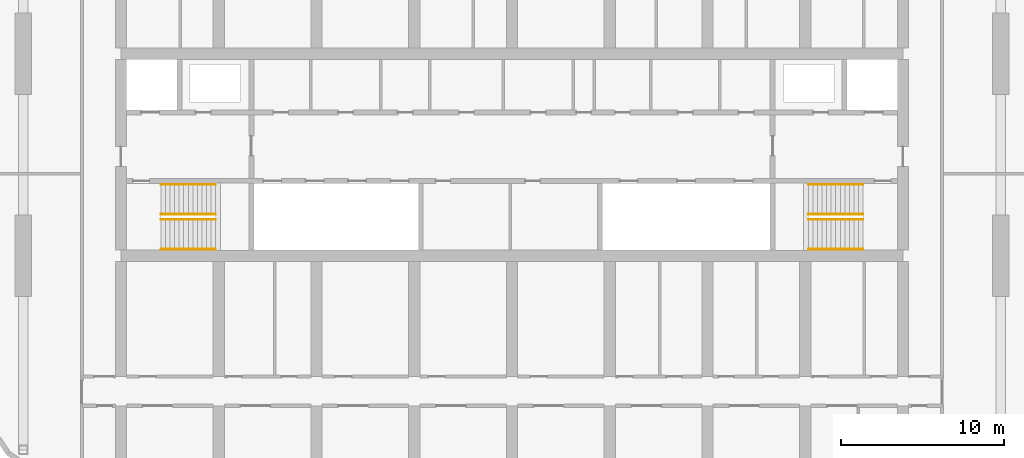
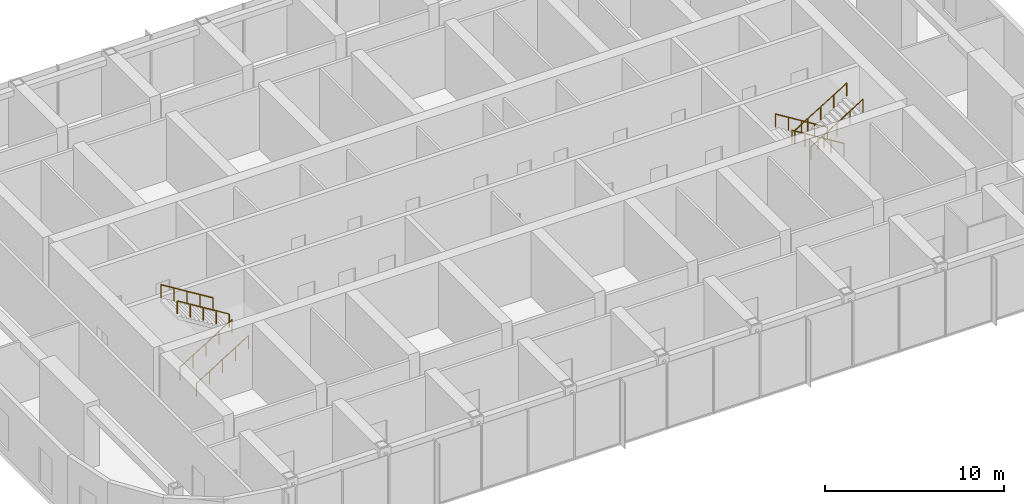
# One storey, part 21 of 21: 8 railings.
"""IFC4 building model written with IfcOpenShell, lengths in metres."""

from ifc_helpers import new_model, si_unit, direction, frame, origin, origin_2d, place, context, subcontext, project, spatial, circle, extrude, material, type_object, element, save


model = new_model("IFC4")

# Units and contexts
model_context = context("Model", 3, precision=1e-05, world=origin(), true_north=direction((0.0, 1.0)))
body_context = subcontext(model_context, "Body", "Model", "MODEL_VIEW")
ifc_project = project(units=[si_unit("LENGTHUNIT", "METRE"), si_unit("AREAUNIT", "SQUARE_METRE"), si_unit("VOLUMEUNIT", "CUBIC_METRE"), si_unit("PLANEANGLEUNIT", "RADIAN"), si_unit("MASSUNIT", "GRAM", prefix="KILO")], contexts=[model_context])

# Site, building, storey
site_placement = place(None, origin())
site = spatial("IfcSite", under=ifc_project, at=site_placement, CompositionType="ELEMENT")
building_placement = place(site_placement, origin())
building = spatial("IfcBuilding", under=site, at=building_placement, Name="Orbita Commons", CompositionType="ELEMENT")
storey_placement = place(building_placement, frame((0.0, 0.0, 257.800048828125)))
storey = spatial("IfcBuildingStorey", under=building, at=storey_placement, Name="L64", CompositionType="ELEMENT", Elevation=257.800048828125)

# Railings
ifc_material = material(Name="Steel tube, painted", Category="steel")
railing_type = type_object("IfcRailingType", Name="Stair handrail steel tube 900", PredefinedType="HANDRAIL", material=ifc_material)
for number, where, name in (
    (1, (20.449951171875, 28.0400390625, 0.173095703125), "Stair S1 handrail L64 flight 1"),
    (2, (20.449951171875, 26.2099609375, 0.173095703125), "Stair S1 handrail L64 flight 1"),
):
    element("IfcRailing", number, at=place(storey_placement, frame(where)), inside=storey, type_object=railing_type, Name=name, PredefinedType="HANDRAIL", context=body_context, shape_type="SweptSolid", body=[
        extrude(circle(Radius=0.02099609375, at=origin_2d()), frame((0.0, 0.0, 0.87890625), z_axis=(0.850623216509, 0.0, 0.525775754039), x_axis=(0.0, 1.0, 0.0)), (0.0, 0.0, 1.0), 3.9501953125),
        extrude(circle(Radius=0.02001953125, at=origin_2d()), origin(), (0.0, 0.0, 1.0), 0.85791015625),
        extrude(circle(Radius=0.02001953125, at=origin_2d()), frame((0.840087890625, 0.0, 0.519287109375)), (0.0, 0.0, 1.0), 0.85791015625),
        extrude(circle(Radius=0.02001953125, at=origin_2d()), frame((1.68017578125, 0.0, 1.03857421875)), (0.0, 0.0, 1.0), 0.85791015625),
        extrude(circle(Radius=0.02001953125, at=origin_2d()), frame((2.52001953125, 0.0, 1.5576171875)), (0.0, 0.0, 1.0), 0.85791015625),
        extrude(circle(Radius=0.02001953125, at=origin_2d()), frame((3.360107421875, 0.0, 2.076904296875)), (0.0, 0.0, 1.0), 0.85791015625),
    ])
for number, where, name in (
    (3, (23.81005859375, 28.360107421875, 2.423095703125), "Stair S1 handrail L64 flight 2"),
    (4, (23.81005859375, 30.18994140625, 2.423095703125), "Stair S1 handrail L64 flight 2"),
    (5, (63.550048828125, 28.360107421875, 0.173095703125), "Stair S2 handrail L64 flight 1"),
    (6, (63.550048828125, 30.18994140625, 0.173095703125), "Stair S2 handrail L64 flight 1"),
):
    element("IfcRailing", number, at=place(storey_placement, frame(where)), inside=storey, type_object=railing_type, Name=name, PredefinedType="HANDRAIL", context=body_context, shape_type="SweptSolid", body=[
        extrude(circle(Radius=0.02099609375, at=origin_2d()), frame((0.0, 0.0, 0.87890625), z_axis=(-0.850623216509, 0.0, 0.525775754039), x_axis=(0.0, -1.0, 0.0)), (0.0, 0.0, 1.0), 3.9501953125),
        extrude(circle(Radius=0.02001953125, at=origin_2d()), origin(), (0.0, 0.0, 1.0), 0.85791015625),
        extrude(circle(Radius=0.02001953125, at=origin_2d()), frame((-0.840087890625, 0.0, 0.519287109375)), (0.0, 0.0, 1.0), 0.85791015625),
        extrude(circle(Radius=0.02001953125, at=origin_2d()), frame((-1.68017578125, 0.0, 1.03857421875)), (0.0, 0.0, 1.0), 0.85791015625),
        extrude(circle(Radius=0.02001953125, at=origin_2d()), frame((-2.52001953125, 0.0, 1.5576171875)), (0.0, 0.0, 1.0), 0.85791015625),
        extrude(circle(Radius=0.02001953125, at=origin_2d()), frame((-3.360107421875, 0.0, 2.076904296875)), (0.0, 0.0, 1.0), 0.85791015625),
    ])
for number, where, name in (
    (7, (60.18994140625, 28.0400390625, 2.423095703125), "Stair S2 handrail L64 flight 2"),
    (8, (60.18994140625, 26.2099609375, 2.423095703125), "Stair S2 handrail L64 flight 2"),
):
    element("IfcRailing", number, at=place(storey_placement, frame(where)), inside=storey, type_object=railing_type, Name=name, PredefinedType="HANDRAIL", context=body_context, shape_type="SweptSolid", body=[
        extrude(circle(Radius=0.02099609375, at=origin_2d()), frame((0.0, 0.0, 0.87890625), z_axis=(0.850623216509, 0.0, 0.525775754039), x_axis=(0.0, 1.0, 0.0)), (0.0, 0.0, 1.0), 3.9501953125),
        extrude(circle(Radius=0.02001953125, at=origin_2d()), origin(), (0.0, 0.0, 1.0), 0.85791015625),
        extrude(circle(Radius=0.02001953125, at=origin_2d()), frame((0.840087890625, 0.0, 0.519287109375)), (0.0, 0.0, 1.0), 0.85791015625),
        extrude(circle(Radius=0.02001953125, at=origin_2d()), frame((1.68017578125, 0.0, 1.03857421875)), (0.0, 0.0, 1.0), 0.85791015625),
        extrude(circle(Radius=0.02001953125, at=origin_2d()), frame((2.52001953125, 0.0, 1.5576171875)), (0.0, 0.0, 1.0), 0.85791015625),
        extrude(circle(Radius=0.02001953125, at=origin_2d()), frame((3.360107421875, 0.0, 2.076904296875)), (0.0, 0.0, 1.0), 0.85791015625),
    ])

save(model, "model.ifc")
